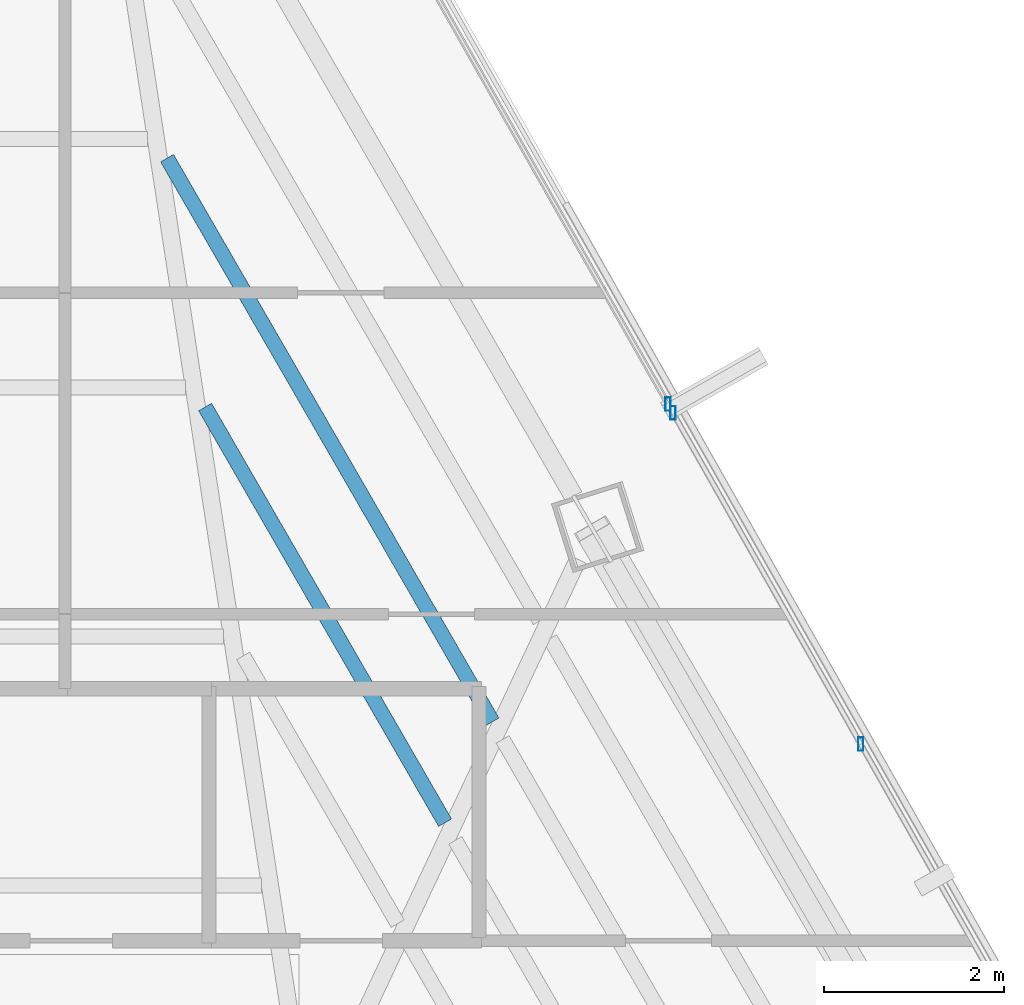
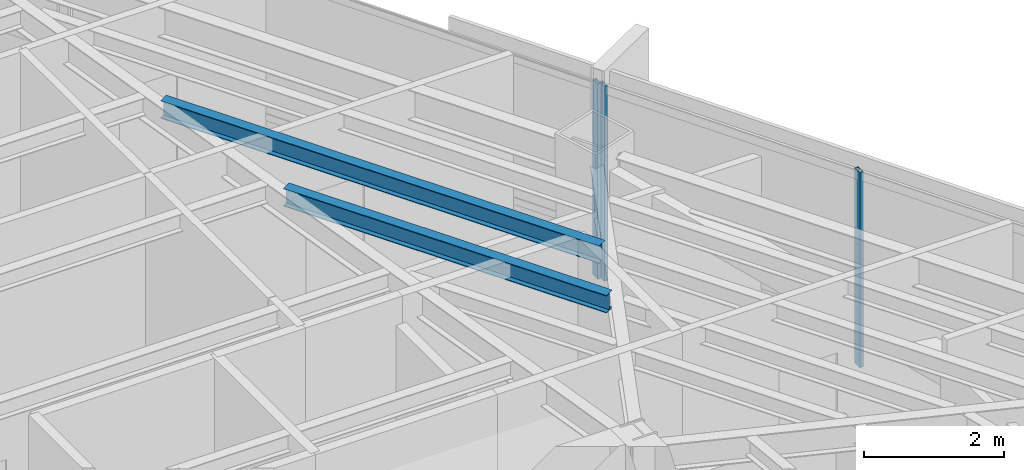
# One storey, part 28 of 42: 3 members, 2 beams, 2 elements without a shape of their own.
"""IFC4 building model written with IfcOpenShell, lengths in metres."""

from ifc_helpers import new_model, si_unit, direction, frame, origin, origin_2d, place, context, subcontext, project, spatial, hollow_rectangle, i_section, extrude, source, transform, mapped, material, material_profile, profile_set, type_object, type_shapes, element, aggregate, save


model = new_model("IFC4")

# Units and contexts
model_context = context("Model", 3, precision=1e-05, world=origin(), true_north=direction((0.0, 1.0)))
body_context = subcontext(model_context, "Body", "Model", "MODEL_VIEW")
ifc_project = project(units=[si_unit("LENGTHUNIT", "METRE"), si_unit("AREAUNIT", "SQUARE_METRE"), si_unit("VOLUMEUNIT", "CUBIC_METRE"), si_unit("PLANEANGLEUNIT", "RADIAN"), si_unit("MASSUNIT", "GRAM", prefix="KILO")], contexts=[model_context])

# Site, building, storey
site_placement = place(None, origin())
site = spatial("IfcSite", under=ifc_project, at=site_placement, CompositionType="ELEMENT")
building_placement = place(site_placement, origin())
building = spatial("IfcBuilding", under=site, at=building_placement, Name="Caelisora Broadcast Tower", CompositionType="ELEMENT")
storey_placement = place(building_placement, frame((0.0, 0.0, 205.949951171875)))
storey = spatial("IfcBuildingStorey", under=building, at=storey_placement, Name="L54", CompositionType="ELEMENT", Elevation=205.949951171875)

# Beams
ifc_material_1 = material(Name="Steel Grade 350 (AS/NZS 3679.1)", Category="steel")
ifc_material_profile_1 = material_profile(ifc_material_1, i_section(OverallWidth=0.166015625, OverallDepth=0.30712890625, WebThickness=0.006591796875, FlangeThickness=0.01171875, at=origin_2d()), Name="Steel Grade 350 (AS/NZS 3679.1)")
ifc_profile_set_1 = profile_set([ifc_material_profile_1], Name="Steel Grade 350 (AS/NZS 3679.1)")
beam_type = type_object("IfcBeamType", Name="SB03", PredefinedType="JOIST", material=ifc_profile_set_1)
shared_shape_1 = source(origin(), body_context, "Body", "SweptSolid", [
    extrude(i_section(OverallWidth=0.166015625, OverallDepth=0.30712890625, WebThickness=0.006591796875, FlangeThickness=0.01171875, at=origin_2d()), origin(), (0.0, 0.0, 1.0), 5.33251953125),
])
beam_1_placement = place(storey_placement, frame((47.0224609375, 33.462890625, 3.246337890625), z_axis=(-0.499994585298, 0.866028529942, 0.0), x_axis=(-0.866028529942, -0.499994585298, 0.0)))
element("IfcBeam", 1, at=beam_1_placement, inside=storey, type_object=beam_type, Name="L54 beam SB03", PredefinedType="JOIST", context=body_context, shape_type="MappedRepresentation", body=[
    mapped(shared_shape_1, transform((0.0, 0.0, 0.0), scale=1.0)),
])
shared_shape_2 = source(origin(), body_context, "Body", "SweptSolid", [
    extrude(i_section(OverallWidth=0.166015625, OverallDepth=0.30712890625, WebThickness=0.006591796875, FlangeThickness=0.01171875, at=origin_2d()), origin(), (0.0, 0.0, 1.0), 7.231201171875),
])
type_shapes(beam_type, [shared_shape_1, shared_shape_2])
beam_2_placement = place(storey_placement, frame((47.549072265625, 34.584228515625, 3.246337890625), z_axis=(-0.500024450573, 0.866011286779, 0.0), x_axis=(-0.866011286779, -0.500024450573, 0.0)))
element("IfcBeam", 2, at=beam_2_placement, inside=storey, type_object=beam_type, Name="L54 beam SB03", PredefinedType="JOIST", context=body_context, shape_type="MappedRepresentation", body=[
    mapped(shared_shape_2, transform((0.0, 0.0, 0.0), scale=1.0)),
])

# Curtain wall, member
ifc_material_2 = material(Name="Unitised Aluminium and Low-E Glass Curtain Wall", Category="glass")
curtain_wall_type_1 = type_object("IfcCurtainWallType", Name="CW-Z4", PredefinedType="NOTDEFINED", material=ifc_material_2)
curtain_wall_1_placement = place(storey_placement, origin())
curtain_wall_1 = element("IfcCurtainWall", 3, at=curtain_wall_1_placement, inside=storey, type_object=curtain_wall_type_1, Name="L54 curtain wall CW-Z4", PredefinedType="NOTDEFINED")
ifc_material_3 = material(Name="Aluminium 6063-T6 Anodised Terracotta Bronze", Category="aluminium")
ifc_material_profile_2 = material_profile(ifc_material_3, hollow_rectangle(XDim=0.06005859375, YDim=0.14990234375, WallThickness=0.00341796875, at=origin_2d()), Name="Aluminium 6063-T6 Anodised Terracotta Bronze")
ifc_profile_set_2 = profile_set([ifc_material_profile_2], Name="Aluminium 6063-T6 Anodised Terracotta Bronze")
member_type = type_object("IfcMemberType", Name="CWM-03", PredefinedType="MULLION", material=ifc_profile_set_2)
shared_shape_3 = source(origin(), body_context, "Body", "SweptSolid", [
    extrude(hollow_rectangle(XDim=0.06005859375, YDim=0.14990234375, WallThickness=0.00341796875, at=origin_2d()), origin(), (0.0, 0.0, 1.0), 3.400146484375),
])
type_shapes(member_type, [shared_shape_3])
member_1_placement = place(storey_placement, frame((49.5, 38.113037109375, 0.0), z_axis=(0.0, 0.0, 1.0), x_axis=(1.0, 0.0, 0.0)))
member_1 = element("IfcMember", 4, at=member_1_placement, type_object=member_type, Name="L54-CW-B01 mullion #3", PredefinedType="MULLION", context=body_context, shape_type="MappedRepresentation", body=[
    mapped(shared_shape_3, transform((0.0, 0.0, 0.0), scale=1.0)),
])
aggregate(curtain_wall_1, [member_1])

# Curtain wall, members
ifc_material_4 = material(Name="Unitised Aluminium Insulated Shadow-Box Spandrel Curtain Wall", Category="aluminium")
curtain_wall_type_2 = type_object("IfcCurtainWallType", Name="CW-SP2", PredefinedType="NOTDEFINED", material=ifc_material_4)
curtain_wall_2_placement = place(storey_placement, origin())
curtain_wall_2 = element("IfcCurtainWall", 5, at=curtain_wall_2_placement, inside=storey, type_object=curtain_wall_type_2, Name="L54 curtain wall CW-SP2", PredefinedType="NOTDEFINED")
member_2_placement = place(storey_placement, frame((49.55419921875, 38.017333984375, 0.0), z_axis=(0.0, 0.0, 1.0), x_axis=(1.0, 0.0, 0.0)))
member_2 = element("IfcMember", 6, at=member_2_placement, type_object=member_type, Name="L54-CW-B02 mullion #0", PredefinedType="MULLION", context=body_context, shape_type="MappedRepresentation", body=[
    mapped(shared_shape_3, transform((0.0, 0.0, 0.0), scale=1.0)),
])
member_3_placement = place(storey_placement, frame((51.640625, 34.33544921875, 0.0), z_axis=(0.0, 0.0, 1.0), x_axis=(1.0, 0.0, 0.0)))
member_3 = element("IfcMember", 7, at=member_3_placement, type_object=member_type, Name="L54-CW-B02 mullion #1", PredefinedType="MULLION", context=body_context, shape_type="MappedRepresentation", body=[
    mapped(shared_shape_3, transform((0.0, 0.0, 0.0), scale=1.0)),
])
aggregate(curtain_wall_2, [member_2, member_3])

save(model, "model.ifc")
